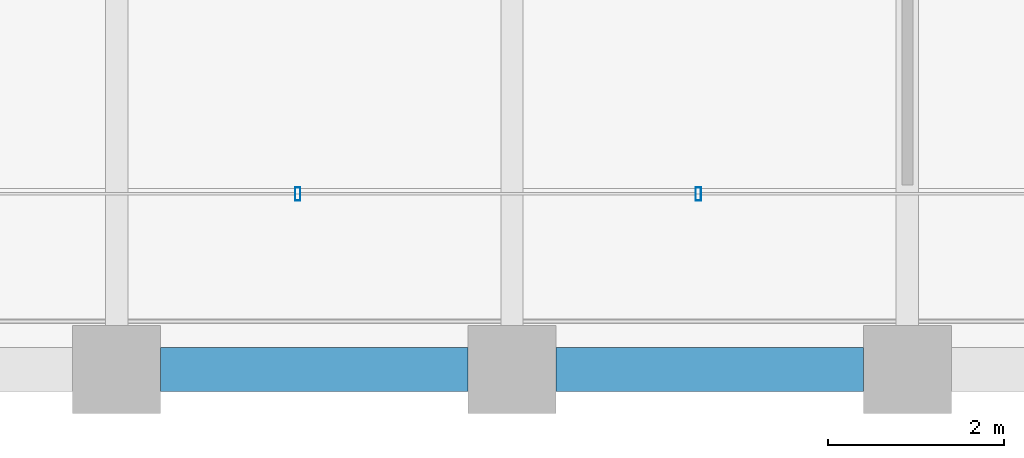
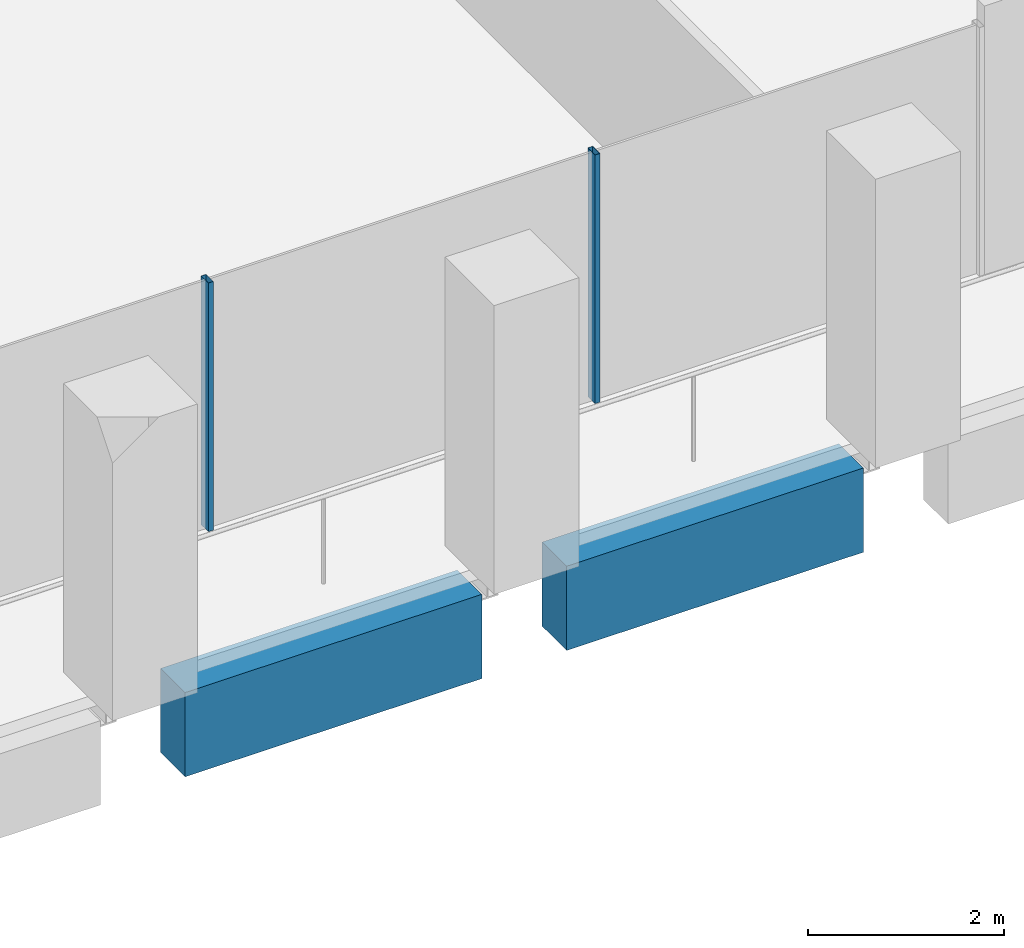
# One storey, part 3 of 45: 2 beams, 2 members, 1 element without a shape of its own.
"""IFC4 building model written with IfcOpenShell, lengths in metres."""

from ifc_helpers import new_model, si_unit, direction, frame, origin, origin_2d, place, context, subcontext, project, spatial, rectangle, hollow_rectangle, extrude, material, material_profile, profile_set, type_object, element, aggregate, save


model = new_model("IFC4")

# Units and contexts
model_context = context("Model", 3, precision=1e-05, world=origin(), true_north=direction((0.0, 1.0)))
body_context = subcontext(model_context, "Body", "Model", "MODEL_VIEW")
ifc_project = project(units=[si_unit("LENGTHUNIT", "METRE"), si_unit("AREAUNIT", "SQUARE_METRE"), si_unit("VOLUMEUNIT", "CUBIC_METRE"), si_unit("PLANEANGLEUNIT", "RADIAN"), si_unit("MASSUNIT", "GRAM", prefix="KILO")], contexts=[model_context])

# Site, building, storey
site_placement = place(None, origin())
site = spatial("IfcSite", under=ifc_project, at=site_placement, CompositionType="ELEMENT")
building_placement = place(site_placement, origin())
building = spatial("IfcBuilding", under=site, at=building_placement, Name="Altepetl Exchange Towers", CompositionType="ELEMENT")
storey_placement = place(building_placement, frame((0.0, 0.0, 110.0)))
storey = spatial("IfcBuildingStorey", under=building, at=storey_placement, Name="L27", CompositionType="ELEMENT", Elevation=110.0)

# Curtain wall, members
ifc_material_1 = material(Name="Aluminium 6063-T6 glazing", Category="aluminium")
curtain_wall_type = type_object("IfcCurtainWallType", Name="Loggia glazing system", PredefinedType="NOTDEFINED", material=ifc_material_1)
curtain_wall_placement = place(storey_placement, origin())
curtain_wall = element("IfcCurtainWall", 1, at=curtain_wall_placement, inside=storey, type_object=curtain_wall_type, Name="CW1 run", PredefinedType="NOTDEFINED")
ifc_material_2 = material(Name="Aluminium 6063-T6", Category="aluminium")
ifc_material_profile_1 = material_profile(ifc_material_2, hollow_rectangle(XDim=0.06005859375, YDim=0.14990234375, WallThickness=0.0029296875, at=origin_2d()), Name="Mullion 60x150 aluminium")
ifc_profile_set_1 = profile_set([ifc_material_profile_1], Name="Aluminium 6063-T6")
member_type = type_object("IfcMemberType", Name="Mullion 60x150 aluminium", PredefinedType="MULLION", material=ifc_profile_set_1)
member_1_placement = place(storey_placement, frame((38.060791015625, 29.0, 0.0)))
member_1 = element("IfcMember", 2, at=member_1_placement, type_object=member_type, Name="MU1 mullion", PredefinedType="MULLION", context=body_context, shape_type="SweptSolid", body=[
    extrude(hollow_rectangle(XDim=0.06005859375, YDim=0.14990234375, WallThickness=0.0029296875, at=origin_2d()), origin(), (0.0, 0.0, 1.0), 3.10009765625),
])
member_2_placement = place(storey_placement, frame((42.621337890625, 29.0, 0.0)))
member_2 = element("IfcMember", 3, at=member_2_placement, type_object=member_type, Name="MU1 mullion", PredefinedType="MULLION", context=body_context, shape_type="SweptSolid", body=[
    extrude(hollow_rectangle(XDim=0.06005859375, YDim=0.14990234375, WallThickness=0.0029296875, at=origin_2d()), origin(), (0.0, 0.0, 1.0), 3.10009765625),
])
aggregate(curtain_wall, [member_1, member_2])

# Beams
ifc_material_3 = material(Name="Concrete C50/60 precast with cantera blanca facing", Category="concrete")
ifc_material_profile_2 = material_profile(ifc_material_3, rectangle(XDim=0.5, YDim=1.050048828125, at=origin_2d()), Name="500 x 1050")
ifc_profile_set_2 = profile_set([ifc_material_profile_2], Name="Concrete C50/60 precast with cantera blanca facing")
beam_type = type_object("IfcBeamType", Name="Spandrel beam 500x1050 cantera blanca", PredefinedType="SPANDREL", material=ifc_profile_set_2)
for number, where, z_axis, x_axis, name in (
    (4, (36.5, 27.0, -0.675048828125), (1.0, 0.0, 0.0), (0.0, 1.0, 0.0), "sp:A:L27:001"),
    (5, (41.0, 27.0, -0.675048828125), (1.0, 0.0, 0.0), (0.0, 1.0, 0.0), "sp:A:L27:002"),
):
    element("IfcBeam", number, at=place(storey_placement, frame(where, z_axis=z_axis, x_axis=x_axis)), inside=storey, type_object=beam_type, Name=name, PredefinedType="SPANDREL", context=body_context, shape_type="SweptSolid", body=[
        extrude(rectangle(XDim=0.5, YDim=1.050048828125, at=origin_2d()), origin(), (0.0, 0.0, 1.0), 3.5),
    ])

save(model, "model.ifc")
